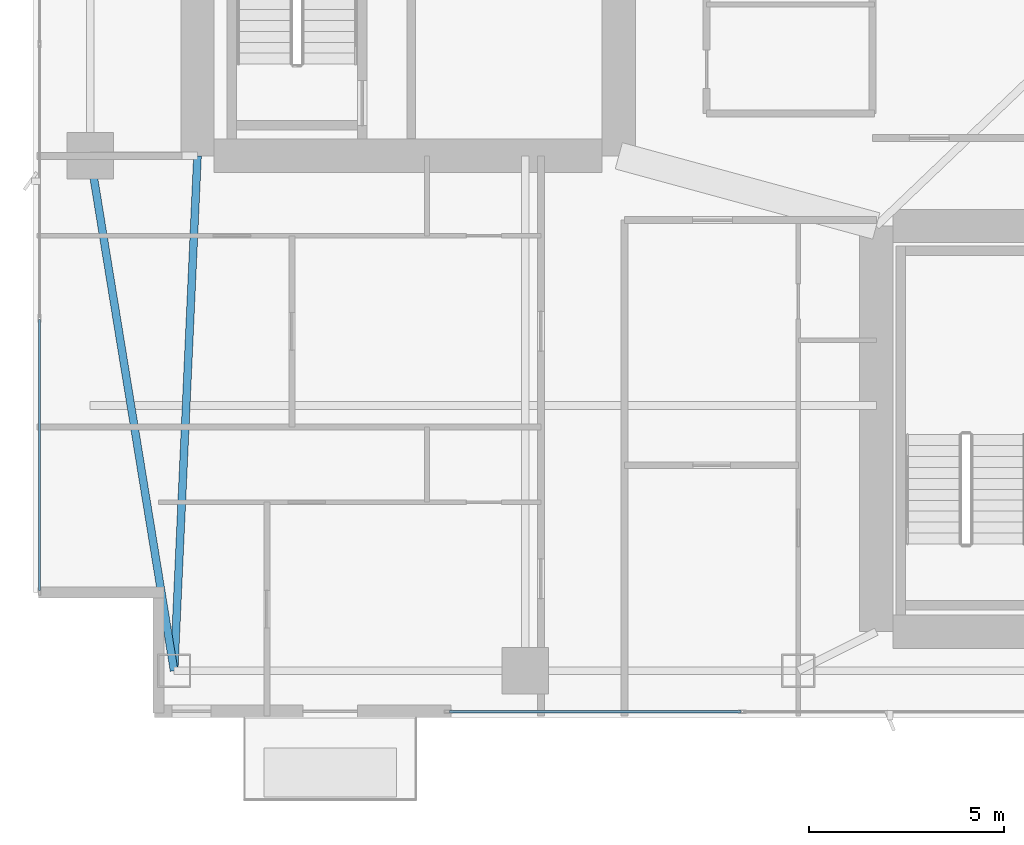
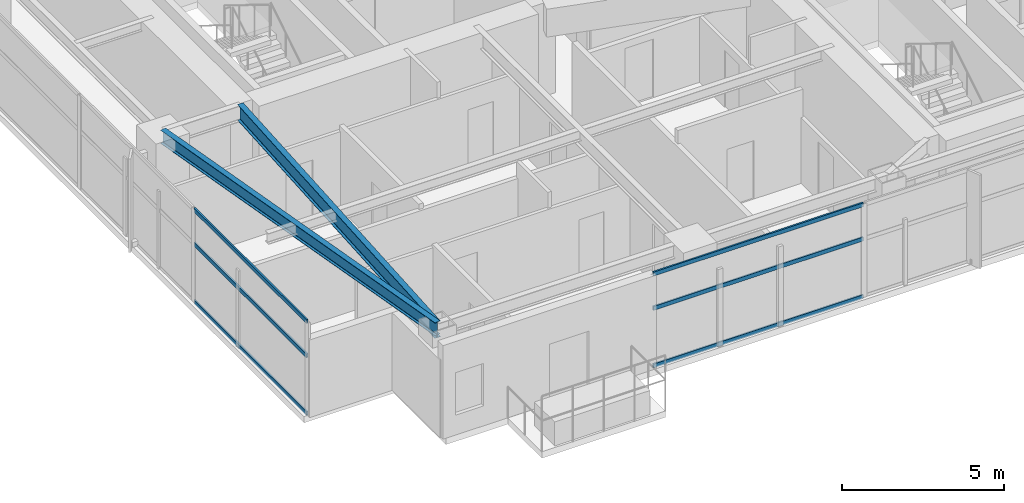
# One storey, part 3 of 28: 6 members, 2 beams, 2 elements without a shape of their own.
"""IFC4 building model written with IfcOpenShell, lengths in metres."""

from ifc_helpers import new_model, si_unit, direction, frame, origin, origin_2d, place, context, subcontext, project, spatial, hollow_rectangle, i_section, extrude, material, layer, layer_set, material_profile, profile_set, type_object, element, aggregate, save


model = new_model("IFC4")

# Units and contexts
model_context = context("Model", 3, precision=1e-05, world=origin(), true_north=direction((0.0, 1.0)))
body_context = subcontext(model_context, "Body", "Model", "MODEL_VIEW")
ifc_project = project(units=[si_unit("LENGTHUNIT", "METRE"), si_unit("AREAUNIT", "SQUARE_METRE"), si_unit("VOLUMEUNIT", "CUBIC_METRE"), si_unit("PLANEANGLEUNIT", "RADIAN"), si_unit("MASSUNIT", "GRAM", prefix="KILO")], contexts=[model_context])

# Site, building, storey
site_placement = place(None, origin())
site = spatial("IfcSite", under=ifc_project, at=site_placement, CompositionType="ELEMENT")
building_placement = place(site_placement, origin())
building = spatial("IfcBuilding", under=site, at=building_placement, Name="Calvorn Quay Hotel", CompositionType="ELEMENT")
storey_placement = place(building_placement, frame((0.0, 0.0, 182.699951171875)))
storey = spatial("IfcBuildingStorey", under=building, at=storey_placement, Name="L45", CompositionType="ELEMENT", Elevation=182.699951171875)

# Beams
ifc_material_1 = material(Name="Steel Q355B", Category="steel")
ifc_material_profile_1 = material_profile(ifc_material_1, i_section(OverallWidth=0.199951171875, OverallDepth=0.60009765625, WebThickness=0.010986328125, FlangeThickness=0.01708984375, FilletRadius=0.01806640625, at=origin_2d()), Name="HN600x200x11x17")
ifc_profile_set_1 = profile_set([ifc_material_profile_1], Name="Steel Q355B")
beam_type_1 = type_object("IfcBeamType", Name="BM-GIRD-TYP", PredefinedType="BEAM", material=ifc_profile_set_1)
beam_1_placement = place(storey_placement, frame((3.60009765625, 3.60009765625, 3.219970703125), z_axis=(0.045396765494, 0.998969035397, 0.0), x_axis=(-0.998969035397, 0.045396765494, 0.0)))
element("IfcBeam", 1, at=beam_1_placement, inside=storey, type_object=beam_type_1, Name="Beam BG-L45-W0", PredefinedType="BEAM", context=body_context, shape_type="SweptSolid", body=[
    extrude(i_section(OverallWidth=0.199951171875, OverallDepth=0.60009765625, WebThickness=0.010986328125, FlangeThickness=0.01708984375, FilletRadius=0.01806640625, at=origin_2d()), origin(), (0.0, 0.0, 1.0), 13.213623046875),
])
ifc_material_2 = material(Name="Steel Q355B", Category="steel")
ifc_material_profile_2 = material_profile(ifc_material_2, i_section(OverallWidth=0.199951171875, OverallDepth=0.5, WebThickness=0.010009765625, FlangeThickness=0.01611328125, FilletRadius=0.01611328125, at=origin_2d()), Name="HN500x200x10x16")
ifc_profile_set_2 = profile_set([ifc_material_profile_2], Name="Steel Q355B")
beam_type_2 = type_object("IfcBeamType", Name="BM-SPANDREL-Z1", PredefinedType="SPANDREL", material=ifc_profile_set_2)
beam_2_placement = place(storey_placement, frame((3.60009765625, 3.60009765625, 3.27001953125), z_axis=(-0.16077155054, 0.986991645627, 0.0), x_axis=(-0.986991645627, -0.16077155054, 0.0)))
element("IfcBeam", 2, at=beam_2_placement, inside=storey, type_object=beam_type_2, Name="Beam BSP-L45-W1", PredefinedType="SPANDREL", context=body_context, shape_type="SweptSolid", body=[
    extrude(i_section(OverallWidth=0.199951171875, OverallDepth=0.5, WebThickness=0.010009765625, FlangeThickness=0.01611328125, FilletRadius=0.01611328125, at=origin_2d()), origin(), (0.0, 0.0, 1.0), 13.3740234375),
])

# Curtain wall, members
ifc_material_3 = material(Name="Pale Anodised Aluminium and Low-E Glass", Category="aluminium")
ifc_layer = layer(ifc_material_3, 0.219970703125)
ifc_layer_set = layer_set([ifc_layer], Name="CW-SYS-Z2")
curtain_wall_type = type_object("IfcCurtainWallType", Name="CW-SYS-Z2", PredefinedType="NOTDEFINED", material=ifc_layer_set)
curtain_wall_1_placement = place(storey_placement, origin())
curtain_wall_1 = element("IfcCurtainWall", 3, at=curtain_wall_1_placement, inside=storey, type_object=curtain_wall_type, Name="Tower West Curtain Wall (L45)", PredefinedType="NOTDEFINED")
ifc_material_4 = material(Name="Pale Anodised Aluminium 6063-T6", Category="aluminium")
ifc_material_profile_3 = material_profile(ifc_material_4, hollow_rectangle(XDim=0.06005859375, YDim=0.14990234375, WallThickness=0.00341796875, at=origin_2d()), Name="ALU-T150x60x3.5")
ifc_profile_set_3 = profile_set([ifc_material_profile_3], Name="Pale Anodised Aluminium 6063-T6")
member_type = type_object("IfcMemberType", Name="CW-SYS-Z2-TRN", PredefinedType="USERDEFINED", material=ifc_profile_set_3)
member_1_placement = place(storey_placement, frame((0.14990234375, 5.659912109375, 0.030029296875), z_axis=(0.0, 1.0, 0.0), x_axis=(-1.0, 0.0, 0.0)))
member_1 = element("IfcMember", 4, at=member_1_placement, type_object=member_type, Name="CW-L45-W transom 1.1", ObjectType="TRANSOM", PredefinedType="USERDEFINED", context=body_context, shape_type="SweptSolid", body=[
    extrude(hollow_rectangle(XDim=0.06005859375, YDim=0.14990234375, WallThickness=0.00341796875, at=origin_2d()), origin(), (0.0, 0.0, 1.0), 6.943359375),
])
member_2_placement = place(storey_placement, frame((0.14990234375, 5.659912109375, 2.199951171875), z_axis=(0.0, 1.0, 0.0), x_axis=(-1.0, 0.0, 0.0)))
member_2 = element("IfcMember", 5, at=member_2_placement, type_object=member_type, Name="CW-L45-W transom 1.2", ObjectType="TRANSOM", PredefinedType="USERDEFINED", context=body_context, shape_type="SweptSolid", body=[
    extrude(hollow_rectangle(XDim=0.06005859375, YDim=0.14990234375, WallThickness=0.00341796875, at=origin_2d()), origin(), (0.0, 0.0, 1.0), 6.943359375),
])
member_3_placement = place(storey_placement, frame((0.14990234375, 5.659912109375, 3.489990234375), z_axis=(0.0, 1.0, 0.0), x_axis=(-1.0, 0.0, 0.0)))
member_3 = element("IfcMember", 6, at=member_3_placement, type_object=member_type, Name="CW-L45-W transom 1.3", ObjectType="TRANSOM", PredefinedType="USERDEFINED", context=body_context, shape_type="SweptSolid", body=[
    extrude(hollow_rectangle(XDim=0.06005859375, YDim=0.14990234375, WallThickness=0.00341796875, at=origin_2d()), origin(), (0.0, 0.0, 1.0), 6.943359375),
])
aggregate(curtain_wall_1, [member_1, member_2, member_3])

curtain_wall_2_placement = place(storey_placement, origin())
curtain_wall_2 = element("IfcCurtainWall", 7, at=curtain_wall_2_placement, inside=storey, type_object=curtain_wall_type, Name="Tower South Waterfront Curtain Wall (L45)", PredefinedType="NOTDEFINED")
member_4_placement = place(storey_placement, frame((10.659912109375, 2.550048828125, 0.030029296875), z_axis=(1.0, 0.0, 0.0), x_axis=(0.0, 1.0, 0.0)))
member_4 = element("IfcMember", 8, at=member_4_placement, type_object=member_type, Name="CW-L45-S transom 1.1", ObjectType="TRANSOM", PredefinedType="USERDEFINED", context=body_context, shape_type="SweptSolid", body=[
    extrude(hollow_rectangle(XDim=0.06005859375, YDim=0.14990234375, WallThickness=0.00341796875, at=origin_2d()), origin(), (0.0, 0.0, 1.0), 7.476806640625),
])
member_5_placement = place(storey_placement, frame((10.659912109375, 2.550048828125, 2.199951171875), z_axis=(1.0, 0.0, 0.0), x_axis=(0.0, 1.0, 0.0)))
member_5 = element("IfcMember", 9, at=member_5_placement, type_object=member_type, Name="CW-L45-S transom 1.2", ObjectType="TRANSOM", PredefinedType="USERDEFINED", context=body_context, shape_type="SweptSolid", body=[
    extrude(hollow_rectangle(XDim=0.06005859375, YDim=0.14990234375, WallThickness=0.00341796875, at=origin_2d()), origin(), (0.0, 0.0, 1.0), 7.476806640625),
])
member_6_placement = place(storey_placement, frame((10.659912109375, 2.550048828125, 3.489990234375), z_axis=(1.0, 0.0, 0.0), x_axis=(0.0, 1.0, 0.0)))
member_6 = element("IfcMember", 10, at=member_6_placement, type_object=member_type, Name="CW-L45-S transom 1.3", ObjectType="TRANSOM", PredefinedType="USERDEFINED", context=body_context, shape_type="SweptSolid", body=[
    extrude(hollow_rectangle(XDim=0.06005859375, YDim=0.14990234375, WallThickness=0.00341796875, at=origin_2d()), origin(), (0.0, 0.0, 1.0), 7.476806640625),
])
aggregate(curtain_wall_2, [member_4, member_5, member_6])

save(model, "model.ifc")
